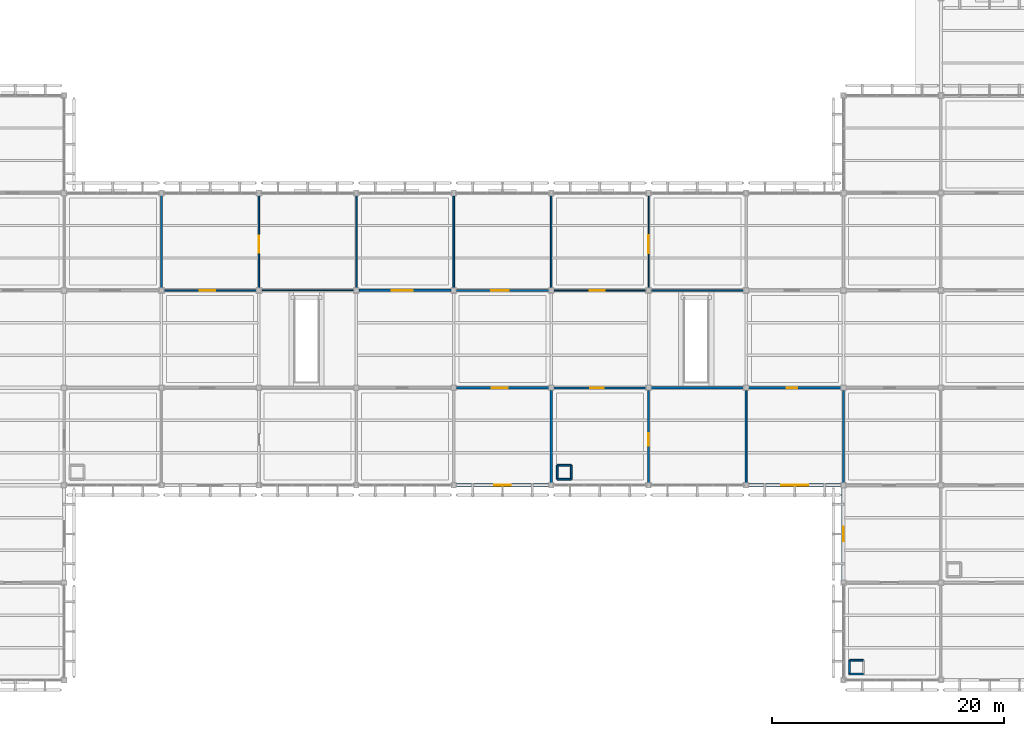
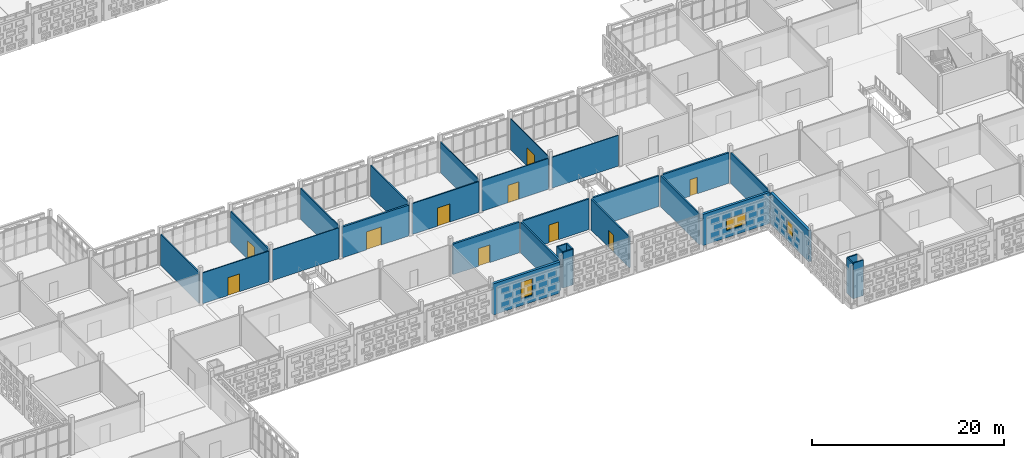
# One storey, part 117 of 203: 30 walls, 10 doors, 3 windows, 13 openings.
"""IFC4 building model written with IfcOpenShell, lengths in metres."""

from ifc_helpers import new_model, si_unit, direction, frame, frame_2d, origin, place, context, subcontext, project, spatial, rectangle, extrude, material, layer, layer_set, type_object, element, fill, save


model = new_model("IFC4")

# Units and contexts
model_context = context("Model", 3, precision=1e-05, world=origin(), true_north=direction((0.0, 1.0)))
body_context = subcontext(model_context, "Body", "Model", "MODEL_VIEW")
ifc_project = project(units=[si_unit("LENGTHUNIT", "METRE"), si_unit("AREAUNIT", "SQUARE_METRE"), si_unit("VOLUMEUNIT", "CUBIC_METRE"), si_unit("PLANEANGLEUNIT", "RADIAN"), si_unit("MASSUNIT", "GRAM", prefix="KILO")], contexts=[model_context])

# Site, building, storey
site_placement = place(None, origin())
site = spatial("IfcSite", under=ifc_project, at=site_placement, CompositionType="ELEMENT")
building_placement = place(site_placement, origin())
building = spatial("IfcBuilding", under=site, at=building_placement, Name="Varnapada Polytechnic", CompositionType="ELEMENT")
storey_placement = place(building_placement, frame((0.0, 0.0, 4.800048828125)))
storey = spatial("IfcBuildingStorey", under=building, at=storey_placement, Name="L01", CompositionType="ELEMENT", Elevation=4.800048828125)

# Walls
ifc_material_1 = material(Name="Autoclaved Aerated Concrete Block AAC-600", Category="concrete")
ifc_layer_1 = layer(ifc_material_1, 0.14990234375)
ifc_layer_set_1 = layer_set([ifc_layer_1], Name="Autoclaved Aerated Concrete Block AAC-600")
wall_type_1 = type_object("IfcWallType", Name="Interior Wall IW-02", PredefinedType="PARTITIONING", material=ifc_layer_set_1)
for number, where, z_axis, x_axis, name in (
    (1, (101.320068359375, 17.320068359375, 0.0), (0.0, 0.0, 1.0), (1.0, 0.0, 0.0), "L01 enclosed service riser wall (13,3) S"),
    (2, (102.52001953125, 17.320068359375, 0.0), (0.0, 0.0, 1.0), (0.0, 1.0, 0.0), "L01 enclosed service riser wall (13,3) E"),
    (3, (102.52001953125, 18.52001953125, 0.0), (0.0, 0.0, 1.0), (-1.0, 0.0, 0.0), "L01 enclosed service riser wall (13,3) N"),
    (4, (101.320068359375, 18.52001953125, 0.0), (0.0, 0.0, 1.0), (0.0, -1.0, 0.0), "L01 enclosed service riser wall (13,3) W"),
    (5, (126.52001953125, 0.52001953125, 0.0), (0.0, 0.0, 1.0), (1.0, 0.0, 0.0), "L01 enclosed service riser wall (16,1) S"),
    (6, (127.719970703125, 1.719970703125, 0.0), (0.0, 0.0, 1.0), (-1.0, 0.0, 0.0), "L01 enclosed service riser wall (16,1) N"),
    (7, (126.52001953125, 1.719970703125, 0.0), (0.0, 0.0, 1.0), (0.0, -1.0, 0.0), "L01 enclosed service riser wall (16,1) W"),
):
    element("IfcWall", number, at=place(storey_placement, frame(where, z_axis=z_axis, x_axis=x_axis)), inside=storey, type_object=wall_type_1, Name=name, PredefinedType="PARTITIONING", context=body_context, shape_type="SweptSolid", body=[
        extrude(rectangle(XDim=1.199951171875, YDim=0.14990234375, at=frame_2d((0.60009765625, 0.0))), origin(), (0.0, 0.0, 1.0), 4.530029296875),
    ])

# Wall, opening, door
wall_1_placement = place(storey_placement, frame((92.6201171875, 33.60009765625, 0.0), z_axis=(0.0, 0.0, 1.0), x_axis=(1.0, 0.0, 0.0)))
wall_1 = element("IfcWall", 8, at=wall_1_placement, inside=storey, type_object=wall_type_1, Name="L01 interior partition IW-L01-11-03-H", PredefinedType="PARTITIONING", context=body_context, shape_type="SweptSolid", body=[
    extrude(rectangle(XDim=7.969970703125, YDim=0.14990234375, at=frame_2d((3.98486328125, 0.0))), origin(), (0.0, 0.0, 1.0), 3.919921875),
])
opening_1_placement = place(wall_1_placement, frame((3.0, 0.0, 0.0)))
opening_1 = element("IfcOpeningElement", 9, at=opening_1_placement, cuts=wall_1, Name="Opening D-1025", PredefinedType="OPENING", context=body_context, shape_type="SweptSolid", body=[
    extrude(rectangle(XDim=1.5, YDim=2.300048828125, at=frame_2d((0.75, 1.14990234375))), frame((0.0, 0.0849609375, 0.0), z_axis=(0.0, -1.0, 0.0), x_axis=(1.0, 0.0, 0.0)), (0.0, 0.0, 1.0), 0.169921875),
])
ifc_material_2 = material(Name="Galvanized Steel Z275", Category="steel")
door_type_1 = type_object("IfcDoorType", Name="Interior Door ID-07", OperationType="NOTDEFINED", PredefinedType="DOOR", material=ifc_material_2)
door_1_placement = place(opening_1_placement, frame((1.5, 0.0, 0.0), z_axis=(0.0, 0.0, 1.0), x_axis=(-1.0, 0.0, 0.0)))
door_1 = element("IfcDoor", 10, at=door_1_placement, inside=storey, type_object=door_type_1, Name="L01 interior room door D-1025", OperationType="SINGLE_SWING_RIGHT", OverallHeight=2.300048828125, OverallWidth=1.5, PredefinedType="DOOR", context=body_context, shape_type="SweptSolid", body=[
    extrude(rectangle(XDim=1.5, YDim=2.300048828125, at=frame_2d((0.75, 1.14990234375))), frame((0.0, 0.02490234375, 0.0), z_axis=(0.0, -1.0, 0.0), x_axis=(1.0, 0.0, 0.0)), (0.0, 0.0, 1.0), 0.050048828125),
])
fill(opening_1, door_1)

ifc_material_3 = material(Name="Gypsum Plasterboard Acoustic Partition")
ifc_layer_2 = layer(ifc_material_3, 0.125)
ifc_layer_set_2 = layer_set([ifc_layer_2], Name="Gypsum Plasterboard Acoustic Partition")
wall_type_2 = type_object("IfcWallType", Name="Interior Wall IW-03", PredefinedType="PARTITIONING", material=ifc_layer_set_2)
wall_2_placement = place(storey_placement, frame((67.409912109375, 33.60009765625, 0.0), z_axis=(0.0, 0.0, 1.0), x_axis=(1.0, 0.0, 0.0)))
wall_2 = element("IfcWall", 11, at=wall_2_placement, inside=storey, type_object=wall_type_2, Name="L01 interior partition IW-L01-08-03-H", PredefinedType="PARTITIONING", context=body_context, shape_type="SweptSolid", body=[
    extrude(rectangle(XDim=7.969970703125, YDim=0.125, at=frame_2d((3.98486328125, 0.0))), origin(), (0.0, 0.0, 1.0), 3.919921875),
])
opening_2_placement = place(wall_2_placement, frame((3.074951171875, 0.0, 0.0)))
opening_2 = element("IfcOpeningElement", 12, at=opening_2_placement, cuts=wall_2, Name="Opening D-1018", PredefinedType="OPENING", context=body_context, shape_type="SweptSolid", body=[
    extrude(rectangle(XDim=1.35009765625, YDim=2.25, at=frame_2d((0.675048828125, 1.125))), frame((0.0, 0.072509765625, 0.0), z_axis=(0.0, -1.0, 0.0), x_axis=(1.0, 0.0, 0.0)), (0.0, 0.0, 1.0), 0.14501953125),
])
ifc_material_4 = material(Name="Powder-Coated Aluminium 6063-T6", Category="aluminium")
door_type_2 = type_object("IfcDoorType", Name="Interior Door ID-17", OperationType="NOTDEFINED", PredefinedType="DOOR", material=ifc_material_4)
door_2_placement = place(opening_2_placement, origin())
door_2 = element("IfcDoor", 13, at=door_2_placement, inside=storey, type_object=door_type_2, Name="L01 interior room door D-1018", OperationType="SINGLE_SWING_LEFT", OverallHeight=2.25, OverallWidth=1.35009765625, PredefinedType="DOOR", context=body_context, shape_type="SweptSolid", body=[
    extrude(rectangle(XDim=1.35009765625, YDim=2.25, at=frame_2d((0.675048828125, 1.125))), frame((0.0, 0.02490234375, 0.0), z_axis=(0.0, -1.0, 0.0), x_axis=(1.0, 0.0, 0.0)), (0.0, 0.0, 1.0), 0.050048828125),
])
fill(opening_2, door_2)

# Wall
wall_3_placement = place(storey_placement, frame((100.800048828125, 33.81005859375, 0.0), z_axis=(0.0, 0.0, 1.0), x_axis=(0.0, 1.0, 0.0)))
element("IfcWall", 14, at=wall_3_placement, inside=storey, type_object=wall_type_2, Name="L01 interior partition IW-L01-11-04-V", PredefinedType="PARTITIONING", context=body_context, shape_type="SweptSolid", body=[
    extrude(rectangle(XDim=7.97998046875, YDim=0.125, at=frame_2d((3.989990234375, 0.0))), origin(), (0.0, 0.0, 1.0), 3.919921875),
])

# Wall, opening, door
ifc_material_5 = material(Name="Moisture-Resistant Cement Board Partition")
ifc_layer_3 = layer(ifc_material_5, 0.139892578125)
ifc_layer_set_3 = layer_set([ifc_layer_3], Name="Moisture-Resistant Cement Board Partition")
wall_type_3 = type_object("IfcWallType", Name="Interior Wall IW-04", PredefinedType="PARTITIONING", material=ifc_layer_set_3)
wall_4_placement = place(storey_placement, frame((75.60009765625, 33.820068359375, 0.0), z_axis=(0.0, 0.0, 1.0), x_axis=(0.0, 1.0, 0.0)))
wall_4 = element("IfcWall", 15, at=wall_4_placement, inside=storey, type_object=wall_type_3, Name="L01 interior partition IW-L01-08-04-V", PredefinedType="PARTITIONING", context=body_context, shape_type="SweptSolid", body=[
    extrude(rectangle(XDim=7.9599609375, YDim=0.139892578125, at=frame_2d((3.97998046875, 0.0))), origin(), (0.0, 0.0, 1.0), 3.919921875),
])
opening_3_placement = place(wall_4_placement, frame((3.02490234375, 0.0, 0.0)))
opening_3 = element("IfcOpeningElement", 16, at=opening_3_placement, cuts=wall_4, Name="Opening D-1019", PredefinedType="OPENING", context=body_context, shape_type="SweptSolid", body=[
    extrude(rectangle(XDim=1.449951171875, YDim=2.35009765625, at=frame_2d((0.72509765625, 1.175048828125))), frame((0.0, 0.079833984375, 0.0), z_axis=(0.0, -1.0, 0.0), x_axis=(1.0, 0.0, 0.0)), (0.0, 0.0, 1.0), 0.159912109375),
])
door_type_3 = type_object("IfcDoorType", Name="Interior Door ID-18", OperationType="NOTDEFINED", PredefinedType="DOOR", material=ifc_material_2)
door_3_placement = place(opening_3_placement, frame((1.449951171875, 0.0, 0.0), z_axis=(0.0, 0.0, 1.0), x_axis=(-1.0, 0.0, 0.0)))
door_3 = element("IfcDoor", 17, at=door_3_placement, inside=storey, type_object=door_type_3, Name="L01 interior room door D-1019", OperationType="SINGLE_SWING_RIGHT", OverallHeight=2.35009765625, OverallWidth=1.449951171875, PredefinedType="DOOR", context=body_context, shape_type="SweptSolid", body=[
    extrude(rectangle(XDim=1.449951171875, YDim=2.35009765625, at=frame_2d((0.72509765625, 1.175048828125))), frame((0.0, 0.02490234375, 0.0), z_axis=(0.0, -1.0, 0.0), x_axis=(1.0, 0.0, 0.0)), (0.0, 0.0, 1.0), 0.050048828125),
])
fill(opening_3, door_3)

ifc_material_6 = material(Name="Cross-laminated timber CLT C24", Category="wood")
ifc_layer_4 = layer(ifc_material_6, 0.159912109375)
ifc_layer_set_4 = layer_set([ifc_layer_4], Name="Cross-laminated timber CLT C24")
wall_type_4 = type_object("IfcWallType", Name="Interior Wall IW-05", PredefinedType="PARTITIONING", material=ifc_layer_set_4)
wall_5_placement = place(storey_placement, frame((109.199951171875, 17.0, 0.0), z_axis=(0.0, 0.0, 1.0), x_axis=(0.0, 1.0, 0.0)))
wall_5 = element("IfcWall", 18, at=wall_5_placement, inside=storey, type_object=wall_type_4, Name="L01 interior partition IW-L01-12-02-V", PredefinedType="PARTITIONING", context=body_context, shape_type="SweptSolid", body=[
    extrude(rectangle(XDim=7.97998046875, YDim=0.159912109375, at=frame_2d((3.989990234375, 0.0))), origin(), (0.0, 0.0, 1.0), 3.919921875),
])
opening_4_placement = place(wall_5_placement, frame((3.22509765625, 0.0, 0.0)))
opening_4 = element("IfcOpeningElement", 19, at=opening_4_placement, cuts=wall_5, Name="Opening D-1027", PredefinedType="OPENING", context=body_context, shape_type="SweptSolid", body=[
    extrude(rectangle(XDim=1.050048828125, YDim=2.199951171875, at=frame_2d((0.52490234375, 1.10009765625))), frame((0.0, 0.08984375, 0.0), z_axis=(0.0, -1.0, 0.0), x_axis=(1.0, 0.0, 0.0)), (0.0, 0.0, 1.0), 0.179931640625),
])
ifc_material_7 = material(Name="Solid Teak Hardwood Timber", Category="wood")
door_type_4 = type_object("IfcDoorType", Name="Interior Door ID-09", OperationType="NOTDEFINED", PredefinedType="DOOR", material=ifc_material_7)
door_4_placement = place(opening_4_placement, origin())
door_4 = element("IfcDoor", 20, at=door_4_placement, inside=storey, type_object=door_type_4, Name="L01 interior room door D-1027", OperationType="SINGLE_SWING_RIGHT", OverallHeight=2.199951171875, OverallWidth=1.050048828125, PredefinedType="DOOR", context=body_context, shape_type="SweptSolid", body=[
    extrude(rectangle(XDim=1.050048828125, YDim=2.199951171875, at=frame_2d((0.52490234375, 1.10009765625))), frame((0.0, 0.02490234375, 0.0), z_axis=(0.0, -1.0, 0.0), x_axis=(1.0, 0.0, 0.0)), (0.0, 0.0, 1.0), 0.050048828125),
])
fill(opening_4, door_4)

ifc_material_8 = material(Name="Acoustic Double-Stud Studio Partition")
ifc_layer_5 = layer(ifc_material_8, 0.179931640625)
ifc_layer_set_5 = layer_set([ifc_layer_5], Name="Acoustic Double-Stud Studio Partition")
wall_type_5 = type_object("IfcWallType", Name="Interior Wall IW-06", PredefinedType="PARTITIONING", material=ifc_layer_set_5)
wall_6_placement = place(storey_placement, frame((101.010009765625, 25.199951171875, 0.0), z_axis=(0.0, 0.0, 1.0), x_axis=(1.0, 0.0, 0.0)))
wall_6 = element("IfcWall", 21, at=wall_6_placement, inside=storey, type_object=wall_type_5, Name="L01 interior partition IW-L01-12-02-H", PredefinedType="PARTITIONING", context=body_context, shape_type="SweptSolid", body=[
    extrude(rectangle(XDim=7.969970703125, YDim=0.179931640625, at=frame_2d((3.98486328125, 0.0))), origin(), (0.0, 0.0, 1.0), 3.889892578125),
])
opening_5_placement = place(wall_6_placement, frame((3.175048828125, 0.0, 0.0)))
opening_5 = element("IfcOpeningElement", 22, at=opening_5_placement, cuts=wall_6, Name="Opening D-1028", PredefinedType="OPENING", context=body_context, shape_type="SweptSolid", body=[
    extrude(rectangle(XDim=1.14990234375, YDim=2.25, at=frame_2d((0.574951171875, 1.125))), frame((0.0, 0.099853515625, 0.0), z_axis=(0.0, -1.0, 0.0), x_axis=(1.0, 0.0, 0.0)), (0.0, 0.0, 1.0), 0.199951171875),
])
door_type_5 = type_object("IfcDoorType", Name="Interior Door ID-10", OperationType="NOTDEFINED", PredefinedType="DOOR", material=ifc_material_4)
door_5_placement = place(opening_5_placement, frame((1.14990234375, 0.0, 0.0), z_axis=(0.0, 0.0, 1.0), x_axis=(-1.0, 0.0, 0.0)))
door_5 = element("IfcDoor", 23, at=door_5_placement, inside=storey, type_object=door_type_5, Name="L01 interior room door D-1028", OperationType="SINGLE_SWING_LEFT", OverallHeight=2.25, OverallWidth=1.14990234375, PredefinedType="DOOR", context=body_context, shape_type="SweptSolid", body=[
    extrude(rectangle(XDim=1.14990234375, YDim=2.25, at=frame_2d((0.574951171875, 1.125))), frame((0.0, 0.02490234375, 0.0), z_axis=(0.0, -1.0, 0.0), x_axis=(1.0, 0.0, 0.0)), (0.0, 0.0, 1.0), 0.050048828125),
])
fill(opening_5, door_5)

ifc_material_9 = material(Name="Glazed Timber-Framed Studio Screen", Category="wood")
ifc_layer_6 = layer(ifc_material_9, 0.110107421875)
ifc_layer_set_6 = layer_set([ifc_layer_6], Name="Glazed Timber-Framed Studio Screen")
wall_type_6 = type_object("IfcWallType", Name="Interior Wall IW-07", PredefinedType="PARTITIONING", material=ifc_layer_set_6)
wall_7_placement = place(storey_placement, frame((101.010009765625, 33.60009765625, 0.0), z_axis=(0.0, 0.0, 1.0), x_axis=(1.0, 0.0, 0.0)))
wall_7 = element("IfcWall", 24, at=wall_7_placement, inside=storey, type_object=wall_type_6, Name="L01 interior partition IW-L01-12-03-H", PredefinedType="PARTITIONING", context=body_context, shape_type="SweptSolid", body=[
    extrude(rectangle(XDim=7.969970703125, YDim=0.110107421875, at=frame_2d((3.98486328125, 0.0))), origin(), (0.0, 0.0, 1.0), 3.919921875),
])
opening_6_placement = place(wall_7_placement, frame((3.10009765625, 0.0, 0.0)))
opening_6 = element("IfcOpeningElement", 25, at=opening_6_placement, cuts=wall_7, Name="Opening D-1029", PredefinedType="OPENING", context=body_context, shape_type="SweptSolid", body=[
    extrude(rectangle(XDim=1.300048828125, YDim=2.199951171875, at=frame_2d((0.64990234375, 1.10009765625))), frame((0.0, 0.06494140625, 0.0), z_axis=(0.0, -1.0, 0.0), x_axis=(1.0, 0.0, 0.0)), (0.0, 0.0, 1.0), 0.130126953125),
])
ifc_material_10 = material(Name="Acoustic Laminated Timber Leaf", Category="wood")
door_type_6 = type_object("IfcDoorType", Name="Interior Door ID-11", OperationType="NOTDEFINED", PredefinedType="DOOR", material=ifc_material_10)
door_6_placement = place(opening_6_placement, origin())
door_6 = element("IfcDoor", 26, at=door_6_placement, inside=storey, type_object=door_type_6, Name="L01 interior room door D-1029", OperationType="SINGLE_SWING_RIGHT", OverallHeight=2.199951171875, OverallWidth=1.300048828125, PredefinedType="DOOR", context=body_context, shape_type="SweptSolid", body=[
    extrude(rectangle(XDim=1.300048828125, YDim=2.199951171875, at=frame_2d((0.64990234375, 1.10009765625))), frame((0.0, 0.02490234375, 0.0), z_axis=(0.0, -1.0, 0.0), x_axis=(1.0, 0.0, 0.0)), (0.0, 0.0, 1.0), 0.050048828125),
])
fill(opening_6, door_6)

# Wall
ifc_material_11 = material(Name="Operable Acoustic Seminar Partition")
ifc_layer_7 = layer(ifc_material_11, 0.10009765625)
ifc_layer_set_7 = layer_set([ifc_layer_7], Name="Operable Acoustic Seminar Partition")
wall_type_7 = type_object("IfcWallType", Name="Interior Wall IW-08", PredefinedType="MOVABLE", material=ifc_layer_set_7)
wall_8_placement = place(storey_placement, frame((75.820068359375, 33.60009765625, 0.0), z_axis=(0.0, 0.0, 1.0), x_axis=(1.0, 0.0, 0.0)))
element("IfcWall", 27, at=wall_8_placement, inside=storey, type_object=wall_type_7, Name="L01 interior partition IW-L01-09-03-H", PredefinedType="MOVABLE", context=body_context, shape_type="SweptSolid", body=[
    extrude(rectangle(XDim=7.969970703125, YDim=0.10009765625, at=frame_2d((3.98486328125, 0.0))), origin(), (0.0, 0.0, 1.0), 3.919921875),
])

# Wall, opening, door
wall_9_placement = place(storey_placement, frame((109.199951171875, 33.820068359375, 0.0), z_axis=(0.0, 0.0, 1.0), x_axis=(0.0, 1.0, 0.0)))
wall_9 = element("IfcWall", 28, at=wall_9_placement, inside=storey, type_object=wall_type_7, Name="L01 interior partition IW-L01-12-04-V", PredefinedType="MOVABLE", context=body_context, shape_type="SweptSolid", body=[
    extrude(rectangle(XDim=7.9599609375, YDim=0.10009765625, at=frame_2d((3.97998046875, 0.0))), origin(), (0.0, 0.0, 1.0), 3.919921875),
])
opening_7_placement = place(wall_9_placement, frame((2.97509765625, 0.0, 0.0)))
opening_7 = element("IfcOpeningElement", 29, at=opening_7_placement, cuts=wall_9, Name="Opening D-1030", PredefinedType="OPENING", context=body_context, shape_type="SweptSolid", body=[
    extrude(rectangle(XDim=1.550048828125, YDim=2.35009765625, at=frame_2d((0.77490234375, 1.175048828125))), frame((0.0, 0.06005859375, 0.0), z_axis=(0.0, -1.0, 0.0), x_axis=(1.0, 0.0, 0.0)), (0.0, 0.0, 1.0), 0.1201171875),
])
door_type_7 = type_object("IfcDoorType", Name="Interior Door ID-12", OperationType="NOTDEFINED", PredefinedType="DOOR", material=ifc_material_2)
door_7_placement = place(opening_7_placement, origin())
door_7 = element("IfcDoor", 30, at=door_7_placement, inside=storey, type_object=door_type_7, Name="L01 interior room door D-1030", OperationType="SINGLE_SWING_LEFT", OverallHeight=2.35009765625, OverallWidth=1.550048828125, PredefinedType="DOOR", context=body_context, shape_type="SweptSolid", body=[
    extrude(rectangle(XDim=1.550048828125, YDim=2.35009765625, at=frame_2d((0.77490234375, 1.175048828125))), frame((0.0, 0.02490234375, 0.0), z_axis=(0.0, -1.0, 0.0), x_axis=(1.0, 0.0, 0.0)), (0.0, 0.0, 1.0), 0.050048828125),
])
fill(opening_7, door_7)

# Walls
ifc_material_12 = material(Name="Calcium Silicate Acoustic Lab Partition")
ifc_layer_8 = layer(ifc_material_12, 0.135009765625)
ifc_layer_set_8 = layer_set([ifc_layer_8], Name="Calcium Silicate Acoustic Lab Partition")
wall_type_8 = type_object("IfcWallType", Name="Interior Wall IW-09", PredefinedType="PARTITIONING", material=ifc_layer_set_8)
wall_10_placement = place(storey_placement, frame((84.0, 33.81005859375, 0.0), z_axis=(0.0, 0.0, 1.0), x_axis=(0.0, 1.0, 0.0)))
element("IfcWall", 31, at=wall_10_placement, inside=storey, type_object=wall_type_8, Name="L01 interior partition IW-L01-09-04-V", PredefinedType="PARTITIONING", context=body_context, shape_type="SweptSolid", body=[
    extrude(rectangle(XDim=7.97998046875, YDim=0.135009765625, at=frame_2d((3.989990234375, 0.0))), origin(), (0.0, 0.0, 1.0), 3.919921875),
])
ifc_material_13 = material(Name="Double-Layer Fireboard Workshop Wall")
ifc_layer_9 = layer(ifc_material_13, 0.169921875)
ifc_layer_set_9 = layer_set([ifc_layer_9], Name="Double-Layer Fireboard Workshop Wall")
wall_type_9 = type_object("IfcWallType", Name="Interior Wall IW-10", PredefinedType="PARTITIONING", material=ifc_layer_set_9)
wall_11_placement = place(storey_placement, frame((117.60009765625, 17.0, 0.0), z_axis=(0.0, 0.0, 1.0), x_axis=(0.0, 1.0, 0.0)))
element("IfcWall", 32, at=wall_11_placement, inside=storey, type_object=wall_type_9, Name="L01 interior partition IW-L01-13-02-V", PredefinedType="PARTITIONING", context=body_context, shape_type="SweptSolid", body=[
    extrude(rectangle(XDim=7.989990234375, YDim=0.169921875, at=frame_2d((3.9951171875, 0.0))), origin(), (0.0, 0.0, 1.0), 3.919921875),
])
ifc_material_14 = material(Name="Insulated Masonry Plant Room Wall", Category="masonry")
ifc_layer_10 = layer(ifc_material_14, 0.18994140625)
ifc_layer_set_10 = layer_set([ifc_layer_10], Name="Insulated Masonry Plant Room Wall")
wall_type_10 = type_object("IfcWallType", Name="Interior Wall IW-11", PredefinedType="PARTITIONING", material=ifc_layer_set_10)
wall_12_placement = place(storey_placement, frame((109.419921875, 25.199951171875, 0.0), z_axis=(0.0, 0.0, 1.0), x_axis=(1.0, 0.0, 0.0)))
element("IfcWall", 33, at=wall_12_placement, inside=storey, type_object=wall_type_10, Name="L01 interior partition IW-L01-13-02-H", PredefinedType="PARTITIONING", context=body_context, shape_type="SweptSolid", body=[
    extrude(rectangle(XDim=7.969970703125, YDim=0.18994140625, at=frame_2d((3.98486328125, 0.0))), origin(), (0.0, 0.0, 1.0), 3.889892578125),
])
ifc_material_15 = material(Name="Timber-Stud Studio Critique Partition", Category="wood")
ifc_layer_11 = layer(ifc_material_15, 0.114990234375)
ifc_layer_set_11 = layer_set([ifc_layer_11], Name="Timber-Stud Studio Critique Partition")
wall_type_11 = type_object("IfcWallType", Name="Interior Wall IW-12", PredefinedType="PARTITIONING", material=ifc_layer_set_11)
wall_13_placement = place(storey_placement, frame((109.419921875, 33.60009765625, 0.0), z_axis=(0.0, 0.0, 1.0), x_axis=(1.0, 0.0, 0.0)))
element("IfcWall", 34, at=wall_13_placement, inside=storey, type_object=wall_type_11, Name="L01 interior partition IW-L01-13-03-H", PredefinedType="PARTITIONING", context=body_context, shape_type="SweptSolid", body=[
    extrude(rectangle(XDim=7.969970703125, YDim=0.114990234375, at=frame_2d((3.98486328125, 0.0))), origin(), (0.0, 0.0, 1.0), 3.919921875),
])

# Wall, opening, door
ifc_material_16 = material(Name="Heavy Acoustic Auditorium Baffle Wall")
ifc_layer_12 = layer(ifc_material_16, 0.219970703125)
ifc_layer_set_12 = layer_set([ifc_layer_12], Name="Heavy Acoustic Auditorium Baffle Wall")
wall_type_12 = type_object("IfcWallType", Name="Interior Wall IW-13", PredefinedType="PARTITIONING", material=ifc_layer_set_12)
wall_14_placement = place(storey_placement, frame((84.2099609375, 33.60009765625, 0.0), z_axis=(0.0, 0.0, 1.0), x_axis=(1.0, 0.0, 0.0)))
wall_14 = element("IfcWall", 35, at=wall_14_placement, inside=storey, type_object=wall_type_12, Name="L01 interior partition IW-L01-10-03-H", PredefinedType="PARTITIONING", context=body_context, shape_type="SweptSolid", body=[
    extrude(rectangle(XDim=7.969970703125, YDim=0.219970703125, at=frame_2d((3.98486328125, 0.0))), origin(), (0.0, 0.0, 1.0), 3.919921875),
])
opening_8_placement = place(wall_14_placement, frame((2.85009765625, 0.0, 0.0)))
opening_8 = element("IfcOpeningElement", 36, at=opening_8_placement, cuts=wall_14, Name="Opening D-1022", PredefinedType="OPENING", context=body_context, shape_type="SweptSolid", body=[
    extrude(rectangle(XDim=1.800048828125, YDim=2.300048828125, at=frame_2d((0.89990234375, 1.14990234375))), frame((0.0, 0.119873046875, 0.0), z_axis=(0.0, -1.0, 0.0), x_axis=(1.0, 0.0, 0.0)), (0.0, 0.0, 1.0), 0.239990234375),
])
ifc_material_17 = material(Name="Acoustic Double Timber Leaf", Category="wood")
door_type_8 = type_object("IfcDoorType", Name="Interior Door ID-04", OperationType="NOTDEFINED", PredefinedType="DOOR", material=ifc_material_17)
door_8_placement = place(opening_8_placement, frame((1.800048828125, 0.0, 0.0), z_axis=(0.0, 0.0, 1.0), x_axis=(-1.0, 0.0, 0.0)))
door_8 = element("IfcDoor", 37, at=door_8_placement, inside=storey, type_object=door_type_8, Name="L01 interior room door D-1022", OperationType="SINGLE_SWING_LEFT", OverallHeight=2.300048828125, OverallWidth=1.800048828125, PredefinedType="DOOR", context=body_context, shape_type="SweptSolid", body=[
    extrude(rectangle(XDim=1.800048828125, YDim=2.300048828125, at=frame_2d((0.89990234375, 1.14990234375))), frame((0.0, 0.02490234375, 0.0), z_axis=(0.0, -1.0, 0.0), x_axis=(1.0, 0.0, 0.0)), (0.0, 0.0, 1.0), 0.050048828125),
])
fill(opening_8, door_8)

# Walls
ifc_material_18 = material(Name="Ceramic-Tiled Wet Laboratory Wall")
ifc_layer_13 = layer(ifc_material_18, 0.14501953125)
ifc_layer_set_13 = layer_set([ifc_layer_13], Name="Ceramic-Tiled Wet Laboratory Wall")
wall_type_13 = type_object("IfcWallType", Name="Interior Wall IW-14", PredefinedType="PARTITIONING", material=ifc_layer_set_13)
wall_15_placement = place(storey_placement, frame((92.39990234375, 33.820068359375, 0.0), z_axis=(0.0, 0.0, 1.0), x_axis=(0.0, 1.0, 0.0)))
element("IfcWall", 38, at=wall_15_placement, inside=storey, type_object=wall_type_13, Name="L01 interior partition IW-L01-10-04-V", PredefinedType="PARTITIONING", context=body_context, shape_type="SweptSolid", body=[
    extrude(rectangle(XDim=7.9599609375, YDim=0.14501953125, at=frame_2d((3.97998046875, 0.0))), origin(), (0.0, 0.0, 1.0), 3.919921875),
])
ifc_material_19 = material(Name="Perforated Timber-Lined Seminar Wall", Category="wood")
ifc_layer_14 = layer(ifc_material_19, 0.155029296875)
ifc_layer_set_14 = layer_set([ifc_layer_14], Name="Perforated Timber-Lined Seminar Wall")
wall_type_14 = type_object("IfcWallType", Name="Interior Wall IW-15", PredefinedType="PARTITIONING", material=ifc_layer_set_14)
for number, where, z_axis, x_axis, name in (
    (39, (67.199951171875, 33.81005859375, 0.0), (0.0, 0.0, 1.0), (0.0, 1.0, 0.0), "L01 interior partition IW-L01-07-04-V"),
    (40, (126.0, 17.0, 0.0), (0.0, 0.0, 1.0), (0.0, 1.0, 0.0), "L01 interior partition IW-L01-14-02-V"),
):
    element("IfcWall", number, at=place(storey_placement, frame(where, z_axis=z_axis, x_axis=x_axis)), inside=storey, type_object=wall_type_14, Name=name, PredefinedType="PARTITIONING", context=body_context, shape_type="SweptSolid", body=[
        extrude(rectangle(XDim=7.97998046875, YDim=0.155029296875, at=frame_2d((3.989990234375, 0.0))), origin(), (0.0, 0.0, 1.0), 3.919921875),
    ])
ifc_material_20 = material(Name="Heavy Masonry Workshop Partition", Category="masonry")
ifc_layer_15 = layer(ifc_material_20, 0.2099609375)
ifc_layer_set_15 = layer_set([ifc_layer_15], Name="Heavy Masonry Workshop Partition")
wall_type_15 = type_object("IfcWallType", Name="Interior Wall IW-16", PredefinedType="PARTITIONING", material=ifc_layer_set_15)
wall_16_placement = place(storey_placement, frame((100.800048828125, 17.0, 0.0), z_axis=(0.0, 0.0, 1.0), x_axis=(0.0, 1.0, 0.0)))
element("IfcWall", 41, at=wall_16_placement, inside=storey, type_object=wall_type_15, Name="L01 interior partition IW-L01-11-02-V", PredefinedType="PARTITIONING", context=body_context, shape_type="SweptSolid", body=[
    extrude(rectangle(XDim=7.989990234375, YDim=0.2099609375, at=frame_2d((3.9951171875, 0.0))), origin(), (0.0, 0.0, 1.0), 3.919921875),
])

# Wall, opening, door
wall_17_placement = place(storey_placement, frame((117.81005859375, 25.199951171875, 0.0), z_axis=(0.0, 0.0, 1.0), x_axis=(1.0, 0.0, 0.0)))
wall_17 = element("IfcWall", 42, at=wall_17_placement, inside=storey, type_object=wall_type_15, Name="L01 interior partition IW-L01-14-02-H", PredefinedType="PARTITIONING", context=body_context, shape_type="SweptSolid", body=[
    extrude(rectangle(XDim=7.969970703125, YDim=0.2099609375, at=frame_2d((3.98486328125, 0.0))), origin(), (0.0, 0.0, 1.0), 3.889892578125),
])
opening_9_placement = place(wall_17_placement, frame((3.300048828125, 0.0, 0.0)))
opening_9 = element("IfcOpeningElement", 43, at=opening_9_placement, cuts=wall_17, Name="Opening D-1033", PredefinedType="OPENING", context=body_context, shape_type="SweptSolid", body=[
    extrude(rectangle(XDim=0.89990234375, YDim=2.10009765625, at=frame_2d((0.449951171875, 1.050048828125))), frame((0.0, 0.114990234375, 0.0), z_axis=(0.0, -1.0, 0.0), x_axis=(1.0, 0.0, 0.0)), (0.0, 0.0, 1.0), 0.22998046875),
])
ifc_material_21 = material(Name="Moisture-Resistant HPL Timber", Category="wood")
door_type_9 = type_object("IfcDoorType", Name="Interior Door ID-15", OperationType="NOTDEFINED", PredefinedType="DOOR", material=ifc_material_21)
door_9_placement = place(opening_9_placement, origin())
door_9 = element("IfcDoor", 44, at=door_9_placement, inside=storey, type_object=door_type_9, Name="L01 interior room door D-1033", OperationType="SINGLE_SWING_RIGHT", OverallHeight=2.10009765625, OverallWidth=0.89990234375, PredefinedType="DOOR", context=body_context, shape_type="SweptSolid", body=[
    extrude(rectangle(XDim=0.89990234375, YDim=2.10009765625, at=frame_2d((0.449951171875, 1.050048828125))), frame((0.0, 0.02490234375, 0.0), z_axis=(0.0, -1.0, 0.0), x_axis=(1.0, 0.0, 0.0)), (0.0, 0.0, 1.0), 0.050048828125),
])
fill(opening_9, door_9)

ifc_material_22 = material(Name="Double-Leaf Acoustic Lecture Wall")
ifc_layer_16 = layer(ifc_material_22, 0.235107421875)
ifc_layer_set_16 = layer_set([ifc_layer_16], Name="Double-Leaf Acoustic Lecture Wall")
wall_type_16 = type_object("IfcWallType", Name="Interior Wall IW-17", PredefinedType="PARTITIONING", material=ifc_layer_set_16)
wall_18_placement = place(storey_placement, frame((92.6201171875, 25.199951171875, 0.0), z_axis=(0.0, 0.0, 1.0), x_axis=(1.0, 0.0, 0.0)))
wall_18 = element("IfcWall", 45, at=wall_18_placement, inside=storey, type_object=wall_type_16, Name="L01 interior partition IW-L01-11-02-H", PredefinedType="PARTITIONING", context=body_context, shape_type="SweptSolid", body=[
    extrude(rectangle(XDim=7.969970703125, YDim=0.235107421875, at=frame_2d((3.98486328125, 0.0))), origin(), (0.0, 0.0, 1.0), 3.889892578125),
])
opening_10_placement = place(wall_18_placement, frame((3.050048828125, 0.0, 0.0)))
opening_10 = element("IfcOpeningElement", 46, at=opening_10_placement, cuts=wall_18, Name="Opening D-1024", PredefinedType="OPENING", context=body_context, shape_type="SweptSolid", body=[
    extrude(rectangle(XDim=1.39990234375, YDim=2.25, at=frame_2d((0.699951171875, 1.125))), frame((0.0, 0.12744140625, 0.0), z_axis=(0.0, -1.0, 0.0), x_axis=(1.0, 0.0, 0.0)), (0.0, 0.0, 1.0), 0.255126953125),
])
door_type_10 = type_object("IfcDoorType", Name="Interior Door ID-06", OperationType="NOTDEFINED", PredefinedType="DOOR", material=ifc_material_4)
door_10_placement = place(opening_10_placement, origin())
door_10 = element("IfcDoor", 47, at=door_10_placement, inside=storey, type_object=door_type_10, Name="L01 interior room door D-1024", OperationType="SINGLE_SWING_LEFT", OverallHeight=2.25, OverallWidth=1.39990234375, PredefinedType="DOOR", context=body_context, shape_type="SweptSolid", body=[
    extrude(rectangle(XDim=1.39990234375, YDim=2.25, at=frame_2d((0.699951171875, 1.125))), frame((0.0, 0.02490234375, 0.0), z_axis=(0.0, -1.0, 0.0), x_axis=(1.0, 0.0, 0.0)), (0.0, 0.0, 1.0), 0.050048828125),
])
fill(opening_10, door_10)

# Wall, opening, window
ifc_material_23 = material(Name="Precast concrete C40/50", Category="concrete")
ifc_layer_17 = layer(ifc_material_23, 0.300048828125)
ifc_layer_set_17 = layer_set([ifc_layer_17], Name="Precast concrete C40/50")
wall_type_17 = type_object("IfcWallType", Name="Wall EW-01", PredefinedType="SOLIDWALL", material=ifc_layer_set_17)
wall_19_placement = place(storey_placement, frame((100.6201171875, 16.800048828125, 0.0), z_axis=(0.0, 0.0, 1.0), x_axis=(-1.0, 0.0, 0.0)))
wall_19 = element("IfcWall", 48, at=wall_19_placement, inside=storey, type_object=wall_type_17, Name="L01 exterior wall EW-01 (78)", PredefinedType="SOLIDWALL", context=body_context, shape_type="SweptSolid", body=[
    extrude(rectangle(XDim=8.0400390625, YDim=0.300048828125, at=frame_2d((4.02001953125, 0.0))), origin(), (0.0, 0.0, 1.0), 3.9599609375),
])
opening_11_placement = place(wall_19_placement, frame((3.320068359375, 0.0, 0.89990234375)))
opening_11 = element("IfcOpeningElement", 49, at=opening_11_placement, cuts=wall_19, Name="Opening WN-04", PredefinedType="OPENING", context=body_context, shape_type="SweptSolid", body=[
    extrude(rectangle(XDim=1.39990234375, YDim=2.10009765625, at=frame_2d((0.699951171875, 1.050048828125))), frame((0.0, 0.159912109375, 0.0), z_axis=(0.0, -1.0, 0.0), x_axis=(1.0, 0.0, 0.0)), (0.0, 0.0, 1.0), 0.320068359375),
])
ifc_material_24 = material(Name="Double low-E laminated glass", Category="glass")
window_type_1 = type_object("IfcWindowType", Name="Window WN-04", PartitioningType="SINGLE_PANEL", PredefinedType="WINDOW", material=ifc_material_24)
window_1_placement = place(opening_11_placement, origin())
window_1 = element("IfcWindow", 50, at=window_1_placement, inside=storey, type_object=window_type_1, Name="L01 window WN-04 (83)", OverallHeight=2.10009765625, OverallWidth=1.39990234375, PartitioningType="SINGLE_PANEL", PredefinedType="WINDOW", context=body_context, shape_type="SweptSolid", body=[
    extrude(rectangle(XDim=1.39990234375, YDim=2.10009765625, at=frame_2d((0.699951171875, 1.050048828125))), frame((0.0, 0.030029296875, 0.0), z_axis=(0.0, -1.0, 0.0), x_axis=(1.0, 0.0, 0.0)), (0.0, 0.0, 1.0), 0.06005859375),
])
fill(opening_11, window_1)

wall_20_placement = place(storey_placement, frame((125.820068359375, 16.800048828125, 0.0), z_axis=(0.0, 0.0, 1.0), x_axis=(-1.0, 0.0, 0.0)))
wall_20 = element("IfcWall", 51, at=wall_20_placement, inside=storey, type_object=wall_type_17, Name="L01 exterior wall EW-01 (96)", PredefinedType="SOLIDWALL", context=body_context, shape_type="SweptSolid", body=[
    extrude(rectangle(XDim=8.0400390625, YDim=0.300048828125, at=frame_2d((4.02001953125, 0.0))), origin(), (0.0, 0.0, 1.0), 3.9599609375),
])
opening_12_placement = place(wall_20_placement, frame((2.8701171875, 0.0, 0.89990234375)))
opening_12 = element("IfcOpeningElement", 52, at=opening_12_placement, cuts=wall_20, Name="Opening WN-19", PredefinedType="OPENING", context=body_context, shape_type="SweptSolid", body=[
    extrude(rectangle(XDim=2.300048828125, YDim=1.5, at=frame_2d((1.14990234375, 0.75))), frame((0.0, 0.159912109375, 0.0), z_axis=(0.0, -1.0, 0.0), x_axis=(1.0, 0.0, 0.0)), (0.0, 0.0, 1.0), 0.320068359375),
])
window_type_2 = type_object("IfcWindowType", Name="Window WN-19", PartitioningType="SINGLE_PANEL", PredefinedType="WINDOW", material=ifc_material_24)
window_2_placement = place(opening_12_placement, origin())
window_2 = element("IfcWindow", 53, at=window_2_placement, inside=storey, type_object=window_type_2, Name="L01 window WN-19 (87)", OverallHeight=1.5, OverallWidth=2.300048828125, PartitioningType="SINGLE_PANEL", PredefinedType="WINDOW", context=body_context, shape_type="SweptSolid", body=[
    extrude(rectangle(XDim=2.300048828125, YDim=1.5, at=frame_2d((1.14990234375, 0.75))), frame((0.0, 0.030029296875, 0.0), z_axis=(0.0, -1.0, 0.0), x_axis=(1.0, 0.0, 0.0)), (0.0, 0.0, 1.0), 0.06005859375),
])
fill(opening_12, window_2)

wall_21_placement = place(storey_placement, frame((126.0, 8.570068359375, 0.0), z_axis=(0.0, 0.0, 1.0), x_axis=(0.0, 1.0, 0.0)))
wall_21 = element("IfcWall", 54, at=wall_21_placement, inside=storey, type_object=wall_type_17, Name="L01 exterior wall EW-01 (104)", PredefinedType="SOLIDWALL", context=body_context, shape_type="SweptSolid", body=[
    extrude(rectangle(XDim=8.050048828125, YDim=0.300048828125, at=frame_2d((4.02490234375, 0.0))), origin(), (0.0, 0.0, 1.0), 3.9599609375),
])
opening_13_placement = place(wall_21_placement, frame((3.39990234375, 0.0, 0.89990234375)))
opening_13 = element("IfcOpeningElement", 55, at=opening_13_placement, cuts=wall_21, Name="Opening WN-21", PredefinedType="OPENING", context=body_context, shape_type="SweptSolid", body=[
    extrude(rectangle(XDim=1.25, YDim=1.699951171875, at=frame_2d((0.625, 0.85009765625))), frame((0.0, 0.159912109375, 0.0), z_axis=(0.0, -1.0, 0.0), x_axis=(1.0, 0.0, 0.0)), (0.0, 0.0, 1.0), 0.320068359375),
])
window_type_3 = type_object("IfcWindowType", Name="Window WN-21", PartitioningType="SINGLE_PANEL", PredefinedType="WINDOW", material=ifc_material_24)
window_3_placement = place(opening_13_placement, origin())
window_3 = element("IfcWindow", 56, at=window_3_placement, inside=storey, type_object=window_type_3, Name="L01 window WN-21 (90)", OverallHeight=1.699951171875, OverallWidth=1.25, PartitioningType="SINGLE_PANEL", PredefinedType="WINDOW", context=body_context, shape_type="SweptSolid", body=[
    extrude(rectangle(XDim=1.25, YDim=1.699951171875, at=frame_2d((0.625, 0.85009765625))), frame((0.0, 0.030029296875, 0.0), z_axis=(0.0, -1.0, 0.0), x_axis=(1.0, 0.0, 0.0)), (0.0, 0.0, 1.0), 0.06005859375),
])
fill(opening_13, window_3)

save(model, "model.ifc")
